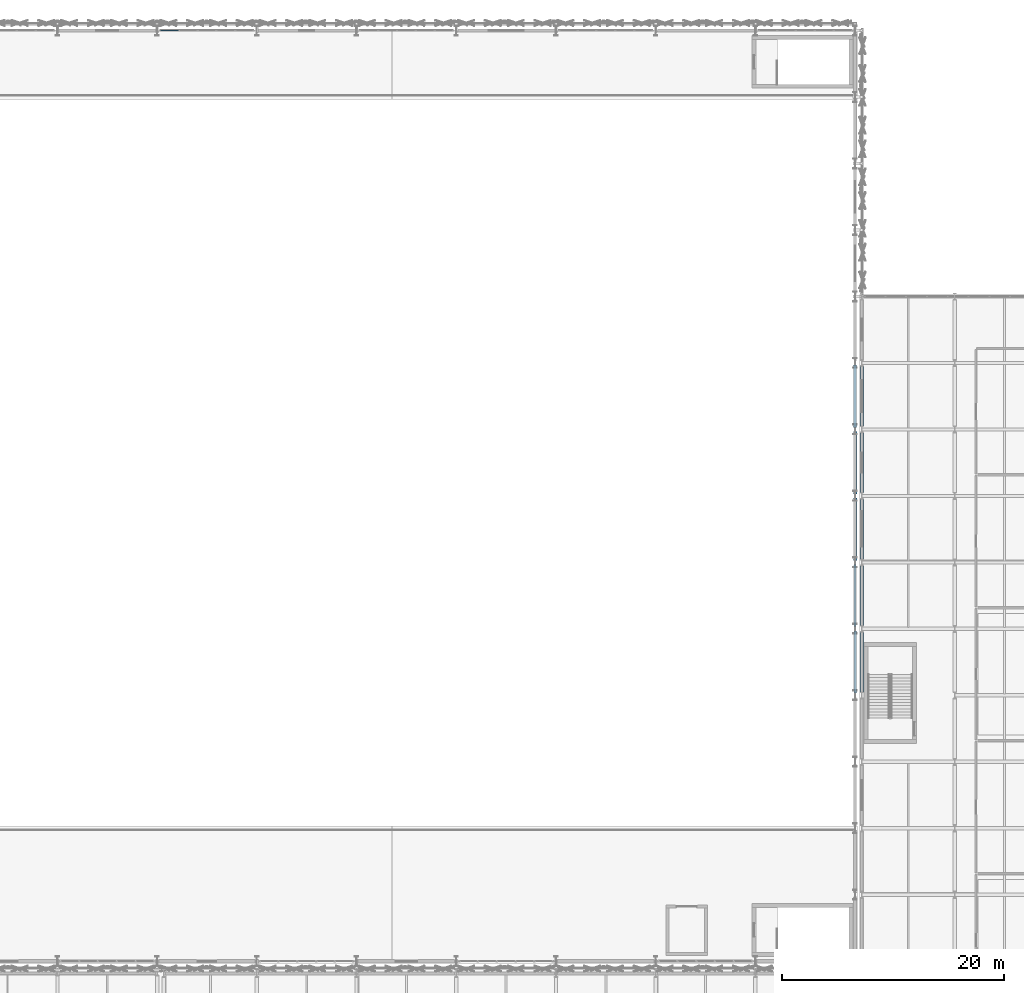
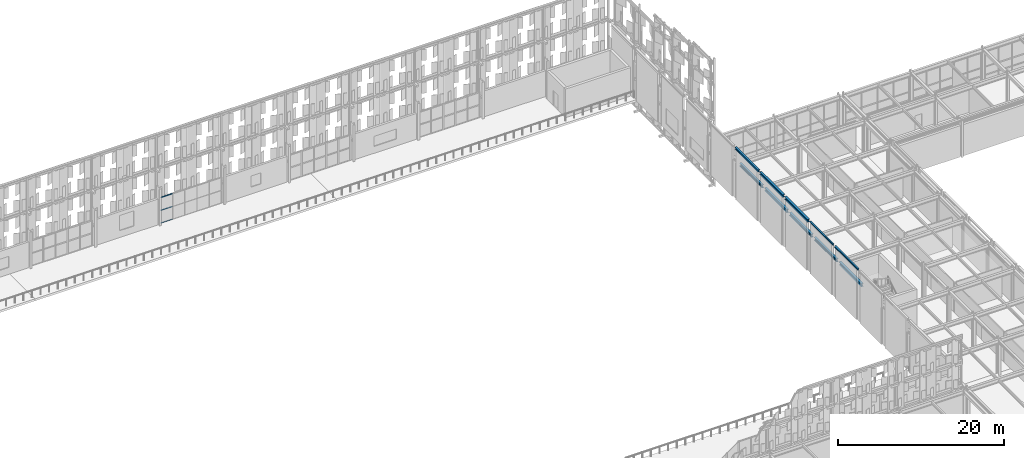
# One storey, part 83 of 210: 10 beams, 3 members, 1 element without a shape of its own.
"""IFC4 building model written with IfcOpenShell, lengths in metres."""

from ifc_helpers import new_model, si_unit, direction, frame, origin, origin_2d, place, context, subcontext, project, spatial, hollow_rectangle, i_section, extrude, material, material_profile, profile_set, type_object, element, aggregate, save


model = new_model("IFC4")

# Units and contexts
model_context = context("Model", 3, precision=1e-05, world=origin(), true_north=direction((0.0, 1.0)))
body_context = subcontext(model_context, "Body", "Model", "MODEL_VIEW")
ifc_project = project(units=[si_unit("LENGTHUNIT", "METRE"), si_unit("AREAUNIT", "SQUARE_METRE"), si_unit("VOLUMEUNIT", "CUBIC_METRE"), si_unit("PLANEANGLEUNIT", "RADIAN"), si_unit("MASSUNIT", "GRAM", prefix="KILO")], contexts=[model_context])

# Site, building, storey
site_placement = place(None, origin())
site = spatial("IfcSite", under=ifc_project, at=site_placement, CompositionType="ELEMENT")
building_placement = place(site_placement, origin())
building = spatial("IfcBuilding", under=site, at=building_placement, Name="Kaldris Quays Convention Centre", CompositionType="ELEMENT")
storey_placement = place(building_placement, frame((0.0, 0.0, 6.0)))
storey = spatial("IfcBuildingStorey", under=building, at=storey_placement, Name="L01", CompositionType="ELEMENT", Elevation=6.0)

# Curtain wall, members
ifc_material_1 = material(Name="Anodized aluminium AW-6060 and triple glazing", Category="aluminium")
curtain_wall_type = type_object("IfcCurtainWallType", Name="UNITISED CURTAIN WALL CW05", PredefinedType="NOTDEFINED", material=ifc_material_1)
curtain_wall_placement = place(storey_placement, origin())
curtain_wall = element("IfcCurtainWall", 1, at=curtain_wall_placement, inside=storey, type_object=curtain_wall_type, Name="L01 Unitised Curtain Wall CW05 8", PredefinedType="NOTDEFINED")
ifc_material_2 = material(Name="Anodized aluminium AW-6060", Category="aluminium")
ifc_material_profile_1 = material_profile(ifc_material_2, hollow_rectangle(XDim=0.06005859375, YDim=0.159912109375, WallThickness=0.00390625, at=origin_2d()), Name="RHS 160x60x4")
ifc_profile_set_1 = profile_set([ifc_material_profile_1], Name="Anodized aluminium AW-6060")
member_type = type_object("IfcMemberType", Name="CURTAIN TRANSOM CWT2", PredefinedType="USERDEFINED", material=ifc_profile_set_1)
member_1_placement = place(storey_placement, frame((83.31005859375, 140.0, 0.030029296875), z_axis=(1.0, 0.0, 0.0), x_axis=(0.0, 1.0, 0.0)))
member_1 = element("IfcMember", 2, at=member_1_placement, type_object=member_type, Name="CW05 transom 1.1", ObjectType="TRANSOM", PredefinedType="USERDEFINED", context=body_context, shape_type="SweptSolid", body=[
    extrude(hollow_rectangle(XDim=0.06005859375, YDim=0.159912109375, WallThickness=0.00390625, at=origin_2d()), origin(), (0.0, 0.0, 1.0), 1.60986328125),
])
member_2_placement = place(storey_placement, frame((83.31005859375, 140.0, 1.89990234375), z_axis=(1.0, 0.0, 0.0), x_axis=(0.0, 1.0, 0.0)))
member_2 = element("IfcMember", 3, at=member_2_placement, type_object=member_type, Name="CW05 transom 1.2", ObjectType="TRANSOM", PredefinedType="USERDEFINED", context=body_context, shape_type="SweptSolid", body=[
    extrude(hollow_rectangle(XDim=0.06005859375, YDim=0.159912109375, WallThickness=0.00390625, at=origin_2d()), origin(), (0.0, 0.0, 1.0), 1.60986328125),
])
member_3_placement = place(storey_placement, frame((83.31005859375, 140.0, 3.77001953125), z_axis=(1.0, 0.0, 0.0), x_axis=(0.0, 1.0, 0.0)))
member_3 = element("IfcMember", 4, at=member_3_placement, type_object=member_type, Name="CW05 transom 1.3", ObjectType="TRANSOM", PredefinedType="USERDEFINED", context=body_context, shape_type="SweptSolid", body=[
    extrude(hollow_rectangle(XDim=0.06005859375, YDim=0.159912109375, WallThickness=0.00390625, at=origin_2d()), origin(), (0.0, 0.0, 1.0), 1.60986328125),
])
aggregate(curtain_wall, [member_1, member_2, member_3])

# Beams
ifc_material_3 = material(Name="Steel S355J2", Category="steel")
ifc_material_profile_2 = material_profile(ifc_material_3, i_section(OverallWidth=0.300048828125, OverallDepth=0.449951171875, WebThickness=0.013916015625, FlangeThickness=0.02587890625, FilletRadius=0.027099609375, at=origin_2d()), Name="HEB 450")
ifc_profile_set_2 = profile_set([ifc_material_profile_2], Name="Steel S355J2")
beam_type_1 = type_object("IfcBeamType", Name="STRUCTURAL BEAM BM07", PredefinedType="BEAM", material=ifc_profile_set_2)
for number, where, z_axis, x_axis, name in (
    (5, (146.60009765625, 80.2939453125, 4.91796875), (0.0, 1.0, 0.0), (-1.0, 0.0, 0.0), "L01 Girder BM07 72"),
    (6, (146.60009765625, 86.2939453125, 4.91796875), (0.0, 1.0, 0.0), (-1.0, 0.0, 0.0), "L01 Girder BM07 73"),
    (7, (146.60009765625, 92.2939453125, 4.91796875), (0.0, 1.0, 0.0), (-1.0, 0.0, 0.0), "L01 Girder BM07 74"),
    (8, (146.60009765625, 98.2939453125, 4.91796875), (0.0, 1.0, 0.0), (-1.0, 0.0, 0.0), "L01 Girder BM07 75"),
    (9, (146.60009765625, 104.2939453125, 4.91796875), (0.0, 1.0, 0.0), (-1.0, 0.0, 0.0), "L01 Girder BM07 76"),
):
    element("IfcBeam", number, at=place(storey_placement, frame(where, z_axis=z_axis, x_axis=x_axis)), inside=storey, type_object=beam_type_1, Name=name, PredefinedType="BEAM", context=body_context, shape_type="SweptSolid", body=[
        extrude(i_section(OverallWidth=0.300048828125, OverallDepth=0.449951171875, WebThickness=0.013916015625, FlangeThickness=0.02587890625, FilletRadius=0.027099609375, at=origin_2d()), origin(), (0.0, 0.0, 1.0), 5.412109375),
    ])
ifc_material_profile_3 = material_profile(ifc_material_3, i_section(OverallWidth=0.300048828125, OverallDepth=0.389892578125, WebThickness=0.010986328125, FlangeThickness=0.01904296875, FilletRadius=0.027099609375, at=origin_2d()), Name="HEA 400")
ifc_profile_set_3 = profile_set([ifc_material_profile_3], Name="Steel S355J2")
beam_type_2 = type_object("IfcBeamType", Name="STRUCTURAL BEAM SP01", PredefinedType="SPANDREL", material=ifc_profile_set_3)
beam_1_placement = place(storey_placement, frame((146.0, 92.195068359375, 7.405029296875), z_axis=(0.0, 1.0, 0.0), x_axis=(-1.0, 0.0, 0.0)))
element("IfcBeam", 10, at=beam_1_placement, inside=storey, type_object=beam_type_2, Name="L01 Perimeter Wall-Bearing Spandrel SP01 61", PredefinedType="SPANDREL", context=body_context, shape_type="SweptSolid", body=[
    extrude(i_section(OverallWidth=0.300048828125, OverallDepth=0.389892578125, WebThickness=0.010986328125, FlangeThickness=0.01904296875, FilletRadius=0.027099609375, at=origin_2d()), origin(), (0.0, 0.0, 1.0), 5.60986328125),
])
ifc_material_profile_4 = material_profile(ifc_material_3, i_section(OverallWidth=0.300048828125, OverallDepth=0.35009765625, WebThickness=0.010009765625, FlangeThickness=0.017578125, FilletRadius=0.027099609375, at=origin_2d()), Name="HEA 360")
ifc_profile_set_4 = profile_set([ifc_material_profile_4], Name="Steel S355J2")
beam_type_3 = type_object("IfcBeamType", Name="STRUCTURAL BEAM SP02", PredefinedType="SPANDREL", material=ifc_profile_set_4)
beam_2_placement = place(storey_placement, frame((146.0, 98.195068359375, 7.425048828125), z_axis=(0.0, 1.0, 0.0), x_axis=(-1.0, 0.0, 0.0)))
element("IfcBeam", 11, at=beam_2_placement, inside=storey, type_object=beam_type_3, Name="L01 Perimeter Wall-Bearing Spandrel SP02 62", PredefinedType="SPANDREL", context=body_context, shape_type="SweptSolid", body=[
    extrude(i_section(OverallWidth=0.300048828125, OverallDepth=0.35009765625, WebThickness=0.010009765625, FlangeThickness=0.017578125, FilletRadius=0.027099609375, at=origin_2d()), origin(), (0.0, 0.0, 1.0), 5.60986328125),
])
ifc_material_profile_5 = material_profile(ifc_material_3, i_section(OverallWidth=0.280029296875, OverallDepth=0.27001953125, WebThickness=0.008056640625, FlangeThickness=0.012939453125, FilletRadius=0.02392578125, at=origin_2d()), Name="HEA 280")
ifc_profile_set_5 = profile_set([ifc_material_profile_5], Name="Steel S355J2")
beam_type_4 = type_object("IfcBeamType", Name="STRUCTURAL BEAM SP03", PredefinedType="SPANDREL", material=ifc_profile_set_5)
beam_3_placement = place(storey_placement, frame((146.0, 104.195068359375, 7.465087890625), z_axis=(0.0, 1.0, 0.0), x_axis=(-1.0, 0.0, 0.0)))
element("IfcBeam", 12, at=beam_3_placement, inside=storey, type_object=beam_type_4, Name="L01 Perimeter Wall-Bearing Spandrel SP03 63", PredefinedType="SPANDREL", context=body_context, shape_type="SweptSolid", body=[
    extrude(i_section(OverallWidth=0.280029296875, OverallDepth=0.27001953125, WebThickness=0.008056640625, FlangeThickness=0.012939453125, FilletRadius=0.02392578125, at=origin_2d()), origin(), (0.0, 0.0, 1.0), 5.60986328125),
])
ifc_material_profile_6 = material_profile(ifc_material_3, i_section(OverallWidth=0.219970703125, OverallDepth=0.219970703125, WebThickness=0.009521484375, FlangeThickness=0.01611328125, FilletRadius=0.01806640625, at=origin_2d()), Name="HEB 220")
ifc_profile_set_6 = profile_set([ifc_material_profile_6], Name="Steel S355J2")
beam_type_5 = type_object("IfcBeamType", Name="STRUCTURAL BEAM SP05", PredefinedType="SPANDREL", material=ifc_profile_set_6)
beam_4_placement = place(storey_placement, frame((146.0, 80.195068359375, 7.489990234375), z_axis=(0.0, 1.0, 0.0), x_axis=(-1.0, 0.0, 0.0)))
element("IfcBeam", 13, at=beam_4_placement, inside=storey, type_object=beam_type_5, Name="L01 Perimeter Wall-Bearing Spandrel SP05 59", PredefinedType="SPANDREL", context=body_context, shape_type="SweptSolid", body=[
    extrude(i_section(OverallWidth=0.219970703125, OverallDepth=0.219970703125, WebThickness=0.009521484375, FlangeThickness=0.01611328125, FilletRadius=0.01806640625, at=origin_2d()), origin(), (0.0, 0.0, 1.0), 5.60986328125),
])
ifc_material_profile_7 = material_profile(ifc_material_3, i_section(OverallWidth=0.199951171875, OverallDepth=0.199951171875, WebThickness=0.009033203125, FlangeThickness=0.014892578125, FilletRadius=0.01806640625, at=origin_2d()), Name="HEB 200")
ifc_profile_set_7 = profile_set([ifc_material_profile_7], Name="Steel S355J2")
beam_type_6 = type_object("IfcBeamType", Name="STRUCTURAL BEAM SP06", PredefinedType="SPANDREL", material=ifc_profile_set_7)
beam_5_placement = place(storey_placement, frame((146.0, 86.195068359375, 7.5), z_axis=(0.0, 1.0, 0.0), x_axis=(-1.0, 0.0, 0.0)))
element("IfcBeam", 14, at=beam_5_placement, inside=storey, type_object=beam_type_6, Name="L01 Perimeter Wall-Bearing Spandrel SP06 60", PredefinedType="SPANDREL", context=body_context, shape_type="SweptSolid", body=[
    extrude(i_section(OverallWidth=0.199951171875, OverallDepth=0.199951171875, WebThickness=0.009033203125, FlangeThickness=0.014892578125, FilletRadius=0.01806640625, at=origin_2d()), origin(), (0.0, 0.0, 1.0), 5.60986328125),
])

save(model, "model.ifc")
